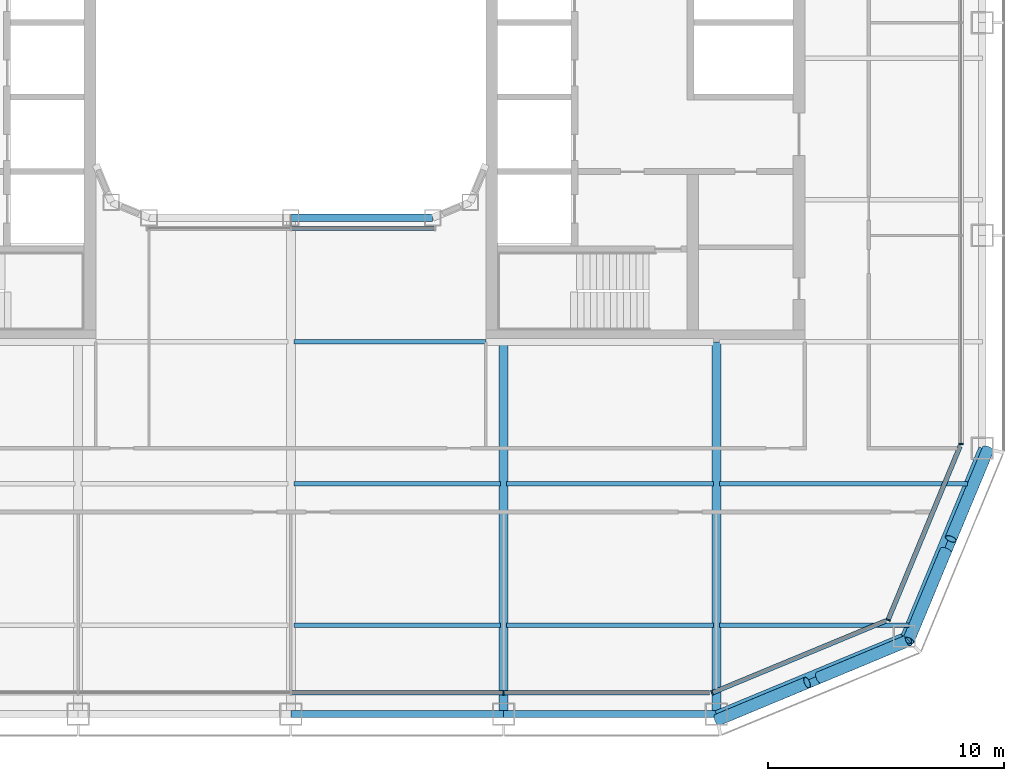
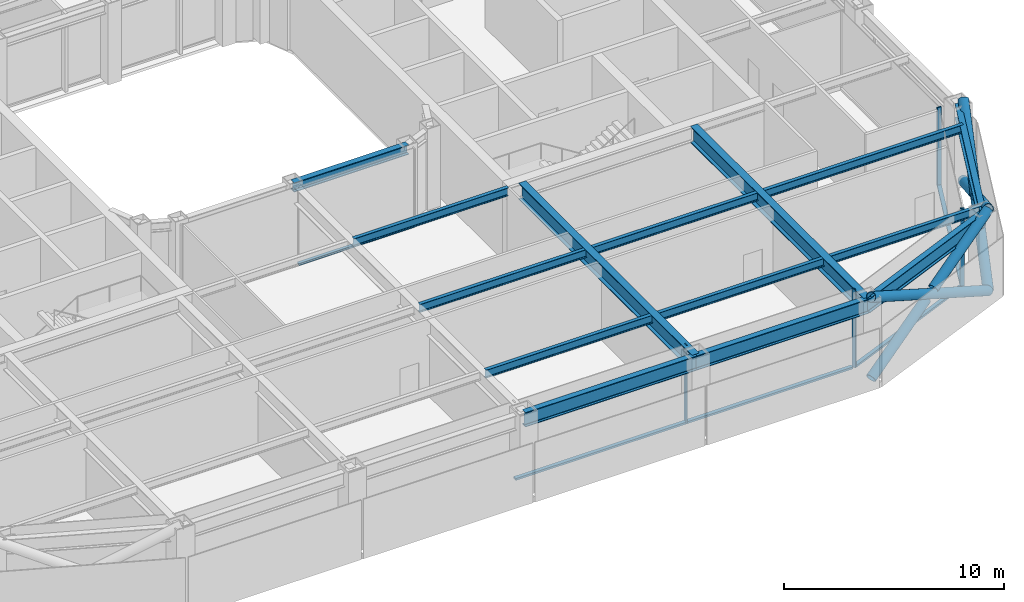
# One storey, part 4 of 21: 15 members, 14 beams, 5 elements without a shape of their own.
"""IFC4 building model written with IfcOpenShell, lengths in metres."""

import ifcopenshell
import ifcopenshell.guid

model = None  # the IFC model being written
_history = None  # IfcOwnerHistory: only IFC2X3 demands one
_inside = {}  # id of a spatial element -> (the spatial element, [elements in it])
_under = {}  # id of a project, library or spatial element -> (it, [spatial elements below it])
_declared = {}  # id of a project -> (the project, [libraries it declares])
_typed = {}  # id of a type object -> (the type object, [elements of that type])
_made_of = {}  # id of a material, layer set ... -> (it, [elements and type objects made of it])


def new_model(schema):
    """Start an empty IFC model of exactly this schema.

    Asked for "IFC4X3", IfcOpenShell would pick the latest addendum, in which some entities
    have other attributes; the version numbers below select the first issue.
    IFC2X3 requires an IfcOwnerHistory on every rooted entity: one is made here for all.
    """
    global model, _history
    if schema == "IFC4X3":
        model = ifcopenshell.file(schema_version=(4, 3, 0, 0))
    else:
        model = ifcopenshell.file(schema=schema)
    _inside.clear()
    _under.clear()
    _declared.clear()
    _typed.clear()
    _made_of.clear()
    _history = None
    if model.schema == "IFC2X3":
        org = make("IfcOrganization", Name="unknown")
        user = make(
            "IfcPersonAndOrganization",
            ThePerson=make("IfcPerson", FamilyName="unknown"),
            TheOrganization=org,
        )
        app = make(
            "IfcApplication",
            ApplicationDeveloper=org,
            Version="unknown",
            ApplicationFullName="unknown",
            ApplicationIdentifier="unknown",
        )
        _history = make(
            "IfcOwnerHistory",
            OwningUser=user,
            OwningApplication=app,
            ChangeAction="ADDED",
            CreationDate=0,
        )
    return model


def make(cls, **values):
    """One entity of the class cls with the attributes given. An attribute that is None is left unset."""
    return model.create_entity(
        cls, **{name: value for name, value in values.items() if value is not None}
    )


def rooted(cls, **values):
    """An entity with a GlobalId (a new one), such as an element, a storey or a relation."""
    return make(cls, GlobalId=ifcopenshell.guid.new(), OwnerHistory=_history, **values)


def si_unit(unit_type, name, prefix=None):
    """IfcSIUnit, for example si_unit("LENGTHUNIT", "METRE", prefix="MILLI")."""
    return make("IfcSIUnit", UnitType=unit_type, Prefix=prefix, Name=name)


def assignment(units):
    """IfcUnitAssignment: the units of a project."""
    return None if units is None else make("IfcUnitAssignment", Units=units)


def point(xyz):
    """IfcCartesianPoint."""
    return None if xyz is None else make("IfcCartesianPoint", Coordinates=xyz)


def direction(xyz):
    """IfcDirection."""
    return None if xyz is None else make("IfcDirection", DirectionRatios=xyz)


def frame(location, z_axis=None, x_axis=None):
    """IfcAxis2Placement3D, a coordinate frame: its origin and axes. An axis left out is left unset."""
    return make(
        "IfcAxis2Placement3D",
        Location=point(location),
        Axis=direction(z_axis),
        RefDirection=direction(x_axis),
    )


def frame_2d(location, x_axis=None):
    """IfcAxis2Placement2D, a coordinate frame in the plane: its origin and x axis."""
    return make(
        "IfcAxis2Placement2D", Location=point(location), RefDirection=direction(x_axis)
    )


def origin():
    """The frame at (0, 0, 0) with its axes left unset."""
    return frame((0.0, 0.0, 0.0))


def origin_2d():
    """The frame at (0, 0) in the plane with its x axis left unset."""
    return frame_2d((0.0, 0.0))


def place(relative_to, where):
    """IfcLocalPlacement: puts the frame where relative to a parent placement (None: the world)."""
    return make(
        "IfcLocalPlacement", PlacementRelTo=relative_to, RelativePlacement=where
    )


def context(
    kind, dimensions, precision=None, world=None, true_north=None, identifier=None
):
    """IfcGeometricRepresentationContext, for example the 3D "Model" context."""
    return make(
        "IfcGeometricRepresentationContext",
        ContextIdentifier=identifier,
        ContextType=kind,
        CoordinateSpaceDimension=dimensions,
        Precision=precision,
        WorldCoordinateSystem=world,
        TrueNorth=true_north,
    )


def subcontext(parent, identifier, kind, view, scale=None):
    """IfcGeometricRepresentationSubContext, for example "Body" below "Model"."""
    return make(
        "IfcGeometricRepresentationSubContext",
        ContextIdentifier=identifier,
        ContextType=kind,
        ParentContext=parent,
        TargetScale=scale,
        TargetView=view,
    )


def project(units=None, contexts=None):
    """IfcProject with its units and contexts."""
    return rooted(
        "IfcProject",
        Name="project",
        RepresentationContexts=contexts,
        UnitsInContext=assignment(units),
    )


def spatial(cls, under=None, at=None, **own):
    """A site, building, storey or space (cls), placed at a placement, below another one or the project."""
    s = rooted(cls, ObjectPlacement=at, **own)
    if under is not None:
        _under.setdefault(under.id(), (under, []))[1].append(s)
    return s


def profile(cls, at=None, kind="AREA", **sizes):
    """A parametric profile (cls). Its sizes go by their IFC names, for example OverallWidth=200.0."""
    return make(cls, ProfileType=kind, Position=at, **sizes)


def rectangle(**sizes):
    """IfcRectangleProfileDef."""
    return profile("IfcRectangleProfileDef", **sizes)


def hollow_circle(**sizes):
    """IfcCircleHollowProfileDef."""
    return profile("IfcCircleHollowProfileDef", **sizes)


def i_section(**sizes):
    """IfcIShapeProfileDef."""
    return profile("IfcIShapeProfileDef", **sizes)


def extrude(swept, where, along, depth):
    """IfcExtrudedAreaSolid: the profile swept, set in the frame where, extruded along a direction by depth."""
    return make(
        "IfcExtrudedAreaSolid",
        SweptArea=swept,
        Position=where,
        ExtrudedDirection=direction(along),
        Depth=depth,
    )


def shape(context_of_items, identifier, shape_type, items):
    """IfcShapeRepresentation: the items that make up one representation, for example the "Body"."""
    return make(
        "IfcShapeRepresentation",
        ContextOfItems=context_of_items,
        RepresentationIdentifier=identifier,
        RepresentationType=shape_type,
        Items=items,
    )


def material(Name=None, Category=None):
    """IfcMaterial."""
    return make("IfcMaterial", Name=Name, Category=Category)


def layer(
    of_material, thickness, ventilated=None, Name=None, Category=None, Priority=None
):
    """IfcMaterialLayer: one layer of a wall or slab, of a material (None: an air gap)."""
    return make(
        "IfcMaterialLayer",
        Material=of_material,
        LayerThickness=thickness,
        IsVentilated=ventilated,
        Name=Name,
        Category=Category,
        Priority=Priority,
    )


def layer_set(layers, Name=None):
    """IfcMaterialLayerSet."""
    return make("IfcMaterialLayerSet", MaterialLayers=layers, LayerSetName=Name)


def material_profile(
    of_material, cross_section, Name=None, Category=None, Priority=None
):
    """IfcMaterialProfile: a cross section and its material."""
    return make(
        "IfcMaterialProfile",
        Name=Name,
        Material=of_material,
        Profile=cross_section,
        Priority=Priority,
        Category=Category,
    )


def profile_set(profiles, Name=None, composite=None):
    """IfcMaterialProfileSet."""
    return make(
        "IfcMaterialProfileSet",
        Name=Name,
        MaterialProfiles=profiles,
        CompositeProfile=composite,
    )


def made_of(thing, what):
    """Note that an element or type object is made of a material, layer set ...; save() writes the relation."""
    if what is not None:
        _made_of.setdefault(what.id(), (what, []))[1].append(thing)
    return thing


def type_object(cls, material=None, **own):
    """A type object (cls), such as IfcWallType, which elements share."""
    return made_of(rooted(cls, **own), material)


def element(
    cls,
    number,
    at=None,
    inside=None,
    cuts=None,
    type_object=None,
    material=None,
    context=None,
    identifier="Body",
    shape_type=None,
    held_by="IfcProductDefinitionShape",
    body=None,
    shapes=None,
    **own,
):
    """One element of the class cls, such as IfcWall. Its Tag is "e" and its number.

    at: its placement. inside: the storey or other place that contains it. cuts: it is an
    opening in that element (IfcRelVoidsElement). A single representation is given by context,
    identifier, shape_type and body (its items); several are given by shapes. held_by: the class
    of the entity that holds the representations. save() writes the other relations.
    """
    e = rooted(cls, Tag="e%d" % number, ObjectPlacement=at, **own)
    if body is not None:
        shapes = [shape(context, identifier, shape_type, body)]
    if shapes is not None:
        e.Representation = make(held_by, Representations=shapes)
    if inside is not None:
        _inside.setdefault(inside.id(), (inside, []))[1].append(e)
    if cuts is not None:
        rooted(
            "IfcRelVoidsElement", RelatingBuildingElement=cuts, RelatedOpeningElement=e
        )
    if type_object is not None:
        _typed.setdefault(type_object.id(), (type_object, []))[1].append(e)
    return made_of(e, material)


def aggregate(whole, parts):
    """IfcRelAggregates: a whole, such as a stair, and the parts it consists of."""
    return rooted("IfcRelAggregates", RelatingObject=whole, RelatedObjects=parts)


def save(model, path):
    """Write the relations noted so far, then the file.

    IfcRelAggregates (storeys below a building ...), IfcRelContainedInSpatialStructure (elements
    in a storey), IfcRelDefinesByType, IfcRelAssociatesMaterial and IfcRelDeclares: one each for
    every whole, place, type object, material and project.
    """
    for whole, parts in _under.values():
        aggregate(whole, parts)
    for where, things in _inside.values():
        rooted(
            "IfcRelContainedInSpatialStructure",
            RelatedElements=things,
            RelatingStructure=where,
        )
    for kind, things in _typed.values():
        rooted("IfcRelDefinesByType", RelatedObjects=things, RelatingType=kind)
    for what, things in _made_of.values():
        rooted("IfcRelAssociatesMaterial", RelatedObjects=things, RelatingMaterial=what)
    for by, libraries in _declared.values():
        rooted("IfcRelDeclares", RelatingContext=by, RelatedDefinitions=libraries)
    model.write(path)


model = new_model("IFC4")

# Units and contexts
model_context = context("Model", 3, precision=1e-05, world=origin(), true_north=direction((0.0, 1.0)))
body_context = subcontext(model_context, "Body", "Model", "MODEL_VIEW")
ifc_project = project(units=[si_unit("LENGTHUNIT", "METRE"), si_unit("AREAUNIT", "SQUARE_METRE"), si_unit("VOLUMEUNIT", "CUBIC_METRE"), si_unit("PLANEANGLEUNIT", "RADIAN"), si_unit("MASSUNIT", "GRAM", prefix="KILO")], contexts=[model_context])

# Site, building, storey
site_placement = place(None, origin())
site = spatial("IfcSite", under=ifc_project, at=site_placement, CompositionType="ELEMENT")
building_placement = place(site_placement, origin())
building = spatial("IfcBuilding", under=site, at=building_placement, Name="Siwar Civic Tower", CompositionType="ELEMENT")
storey_placement = place(building_placement, frame((0.0, 0.0, 122.699951171875)))
storey = spatial("IfcBuildingStorey", under=building, at=storey_placement, Name="L26", CompositionType="ELEMENT", Elevation=122.699951171875)

# Curtain wall, member
ifc_material_1 = material(Name="Aluminium and glass", Category="aluminium")
ifc_layer_1 = layer(ifc_material_1, 0.199951171875)
ifc_layer_set_1 = layer_set([ifc_layer_1], Name="Aluminium and glass")
curtain_wall_type_1 = type_object("IfcCurtainWallType", Name="ENV-CW-B", PredefinedType="NOTDEFINED", material=ifc_layer_set_1)
curtain_wall_1_placement = place(storey_placement, origin())
curtain_wall_1 = element("IfcCurtainWall", 1, at=curtain_wall_1_placement, inside=storey, type_object=curtain_wall_type_1, Name="Curtain wall B S", PredefinedType="NOTDEFINED")
ifc_material_2 = material(Name="Aluminium 6063-T6", Category="aluminium")
ifc_material_profile_1 = material_profile(ifc_material_2, rectangle(XDim=0.199951171875, YDim=0.06494140625, at=origin_2d()), Name="AL 200x65")
ifc_profile_set_1 = profile_set([ifc_material_profile_1], Name="Aluminium 6063-T6")
member_type_1 = type_object("IfcMemberType", Name="ENV-MULLION-B", PredefinedType="MULLION", material=ifc_profile_set_1)
member_1_placement = place(storey_placement, frame((9.0, -28.35009765625, 0.0), z_axis=(0.0, 0.0, 1.0), x_axis=(0.0, 1.0, 0.0)))
member_1 = element("IfcMember", 2, at=member_1_placement, type_object=member_type_1, Name="Mullion B S 4", PredefinedType="MULLION", context=body_context, shape_type="SweptSolid", body=[
    extrude(rectangle(XDim=0.199951171875, YDim=0.06494140625, at=origin_2d()), origin(), (0.0, 0.0, 1.0), 4.35009765625),
])

ifc_material_3 = material(Name="Aluminium clad insulated panel", Category="aluminium")
ifc_layer_2 = layer(ifc_material_3, 0.199951171875)
ifc_layer_set_2 = layer_set([ifc_layer_2], Name="Aluminium clad insulated panel")
curtain_wall_type_2 = type_object("IfcCurtainWallType", Name="ENV-CW-BX", PredefinedType="NOTDEFINED", material=ifc_layer_set_2)
curtain_wall_2_placement = place(storey_placement, origin())
curtain_wall_2 = element("IfcCurtainWall", 3, at=curtain_wall_2_placement, inside=storey, type_object=curtain_wall_type_2, Name="Curtain wall B SE1", PredefinedType="NOTDEFINED")
member_2_placement = place(storey_placement, frame((17.821044921875, -28.35009765625, 0.0), z_axis=(0.0, 0.0, 1.0), x_axis=(-0.382683432365, 0.923879532511, 0.0)))
member_2 = element("IfcMember", 4, at=member_2_placement, type_object=member_type_1, Name="Mullion B SE1 1", PredefinedType="MULLION", context=body_context, shape_type="SweptSolid", body=[
    extrude(rectangle(XDim=0.199951171875, YDim=0.06494140625, at=origin_2d()), origin(), (0.0, 0.0, 1.0), 4.35009765625),
])

curtain_wall_3_placement = place(storey_placement, origin())
curtain_wall_3 = element("IfcCurtainWall", 5, at=curtain_wall_3_placement, inside=storey, type_object=curtain_wall_type_2, Name="Curtain wall B SE2", PredefinedType="NOTDEFINED")
member_3_placement = place(storey_placement, frame((25.26611328125, -25.26611328125, 0.0), z_axis=(0.0, 0.0, 1.0), x_axis=(-0.923879532511, 0.382683432365, 0.0)))
member_3 = element("IfcMember", 6, at=member_3_placement, type_object=member_type_1, Name="Mullion B SE2 1", PredefinedType="MULLION", context=body_context, shape_type="SweptSolid", body=[
    extrude(rectangle(XDim=0.199951171875, YDim=0.06494140625, at=origin_2d()), origin(), (0.0, 0.0, 1.0), 4.35009765625),
])

curtain_wall_4_placement = place(storey_placement, origin())
curtain_wall_4 = element("IfcCurtainWall", 7, at=curtain_wall_4_placement, inside=storey, type_object=curtain_wall_type_1, Name="Curtain wall B E", PredefinedType="NOTDEFINED")
member_4_placement = place(storey_placement, frame((28.35009765625, -17.821044921875, 0.0), z_axis=(0.0, 0.0, 1.0), x_axis=(-1.0, 0.0, 0.0)))
member_4 = element("IfcMember", 8, at=member_4_placement, type_object=member_type_1, Name="Mullion B E 1", PredefinedType="MULLION", context=body_context, shape_type="SweptSolid", body=[
    extrude(rectangle(XDim=0.199951171875, YDim=0.06494140625, at=origin_2d()), origin(), (0.0, 0.0, 1.0), 4.35009765625),
])
aggregate(curtain_wall_4, [member_4])

# Member
ifc_material_4 = material(Name="Aluminium 6063-T6", Category="aluminium")
ifc_material_profile_2 = material_profile(ifc_material_4, rectangle(XDim=0.199951171875, YDim=0.110107421875, at=origin_2d()), Name="AL 200x110")
ifc_profile_set_2 = profile_set([ifc_material_profile_2], Name="Aluminium 6063-T6")
member_type_2 = type_object("IfcMemberType", Name="ENV-TRANSOM-B", PredefinedType="USERDEFINED", material=ifc_profile_set_2)
member_5_placement = place(storey_placement, frame((0.032470703125, -28.35009765625, 0.054931640625), z_axis=(1.0, 0.0, 0.0), x_axis=(0.0, 1.0, 0.0)))
member_5 = element("IfcMember", 9, at=member_5_placement, type_object=member_type_2, Name="Transom B S 3", ObjectType="TRANSOM", PredefinedType="USERDEFINED", context=body_context, shape_type="SweptSolid", body=[
    extrude(rectangle(XDim=0.199951171875, YDim=0.110107421875, at=origin_2d()), origin(), (0.0, 0.0, 1.0), 8.93505859375),
])

member_6_placement = place(storey_placement, frame((9.032470703125, -28.35009765625, 0.054931640625), z_axis=(1.0, 0.0, 0.0), x_axis=(0.0, 1.0, 0.0)))
member_6 = element("IfcMember", 10, at=member_6_placement, type_object=member_type_2, Name="Transom B S 4", ObjectType="TRANSOM", PredefinedType="USERDEFINED", context=body_context, shape_type="SweptSolid", body=[
    extrude(rectangle(XDim=0.199951171875, YDim=0.110107421875, at=origin_2d()), origin(), (0.0, 0.0, 1.0), 8.6748046875),
])

aggregate(curtain_wall_1, [member_1, member_5, member_6])

member_7_placement = place(storey_placement, frame((17.85107421875, -28.337646484375, 0.054931640625), z_axis=(0.92387279587, 0.382699695651, 0.0), x_axis=(-0.382699695651, 0.92387279587, 0.0)))
member_7 = element("IfcMember", 11, at=member_7_placement, type_object=member_type_2, Name="Transom B SE1 1", ObjectType="TRANSOM", PredefinedType="USERDEFINED", context=body_context, shape_type="SweptSolid", body=[
    extrude(rectangle(XDim=0.199951171875, YDim=0.110107421875, at=origin_2d()), origin(), (0.0, 0.0, 1.0), 7.912353515625),
])

aggregate(curtain_wall_2, [member_2, member_7])

member_8_placement = place(storey_placement, frame((25.278564453125, -25.236083984375, 0.054931640625), z_axis=(0.382673358825, 0.923883705044, 0.0), x_axis=(-0.923883705044, 0.382673358825, 0.0)))
member_8 = element("IfcMember", 12, at=member_8_placement, type_object=member_type_2, Name="Transom B SE2 1", ObjectType="TRANSOM", PredefinedType="USERDEFINED", context=body_context, shape_type="SweptSolid", body=[
    extrude(rectangle(XDim=0.199951171875, YDim=0.110107421875, at=origin_2d()), origin(), (0.0, 0.0, 1.0), 7.912353515625),
])

aggregate(curtain_wall_3, [member_3, member_8])

# Curtain wall, member
ifc_material_5 = material(Name="Aluminium and glass", Category="aluminium")
ifc_layer_3 = layer(ifc_material_5, 0.179931640625)
ifc_layer_set_3 = layer_set([ifc_layer_3], Name="Aluminium and glass")
curtain_wall_type_3 = type_object("IfcCurtainWallType", Name="ENV-CW-W", PredefinedType="NOTDEFINED", material=ifc_layer_set_3)
curtain_wall_5_placement = place(storey_placement, origin())
curtain_wall_5 = element("IfcCurtainWall", 13, at=curtain_wall_5_placement, inside=storey, type_object=curtain_wall_type_3, Name="Curtain wall W WS", PredefinedType="NOTDEFINED")
ifc_material_6 = material(Name="Aluminium 6063-T6", Category="aluminium")
ifc_material_profile_3 = material_profile(ifc_material_6, rectangle(XDim=0.179931640625, YDim=0.10009765625, at=origin_2d()), Name="AL 180x100")
ifc_profile_set_3 = profile_set([ifc_material_profile_3], Name="Aluminium 6063-T6")
member_type_3 = type_object("IfcMemberType", Name="ENV-TRANSOM-W", PredefinedType="USERDEFINED", material=ifc_profile_set_3)
member_9_placement = place(storey_placement, frame((0.030029296875, -8.7099609375, 0.050048828125), z_axis=(1.0, 0.0, 0.0), x_axis=(0.0, 1.0, 0.0)))
member_9 = element("IfcMember", 14, at=member_9_placement, type_object=member_type_3, Name="Transom W WS 2", ObjectType="TRANSOM", PredefinedType="USERDEFINED", context=body_context, shape_type="SweptSolid", body=[
    extrude(rectangle(XDim=0.179931640625, YDim=0.10009765625, at=origin_2d()), origin(), (0.0, 0.0, 1.0), 6.031494140625),
])
aggregate(curtain_wall_5, [member_9])

# Members
ifc_material_7 = material(Name="Steel S355", Category="steel")
ifc_material_profile_4 = material_profile(ifc_material_7, hollow_circle(Radius=0.25390625, WallThickness=0.02490234375, at=origin_2d()), Name="CHS508x25")
ifc_profile_set_4 = profile_set([ifc_material_profile_4], Name="Steel S355")
member_type_4 = type_object("IfcMemberType", Name="STR-BR-CHS508x25", PredefinedType="BRACE", material=ifc_profile_set_4)
member_10_placement = place(storey_placement, frame((26.1318359375, -26.1318359375, 0.0), z_axis=(0.341671493852, 0.821142553604, 0.457149315816), x_axis=(-0.923264922524, 0.384163874976, 0.0)))
element("IfcMember", 15, at=member_10_placement, inside=storey, type_object=member_type_4, Name="L26/brc/BSE1-5-0-1", PredefinedType="BRACE", context=body_context, shape_type="SweptSolid", body=[
    extrude(hollow_circle(Radius=0.25390625, WallThickness=0.02490234375, at=origin_2d()), origin(), (0.0, 0.0, 1.0), 9.843505859375),
])
for number, where, z_axis, x_axis, name in (
    (16, (29.4951171875, -18.048828125, 0.0), (-0.341677318012, -0.821126041429, 0.457174621391), (0.923259859753, -0.384176042158, 0.0), "L26/brc/BSE1-5-0-2"),
    (17, (27.70849609375, -22.342529296875, 2.390625), (-0.341670737976, -0.821163134736, 0.457112910516), (0.923268638995, -0.384154943021, 0.0), "L26/brc/BSE1-5-0-3"),
):
    element("IfcMember", number, at=place(storey_placement, frame(where, z_axis=z_axis, x_axis=x_axis)), inside=storey, type_object=member_type_4, Name=name, PredefinedType="BRACE", context=body_context, shape_type="SweptSolid", body=[
        extrude(hollow_circle(Radius=0.25390625, WallThickness=0.02490234375, at=origin_2d()), origin(), (0.0, 0.0, 1.0), 4.614501953125),
    ])
member_11_placement = place(storey_placement, frame((26.1318359375, -26.1318359375, 0.0), z_axis=(-0.821142553604, -0.341671493852, 0.457149315816), x_axis=(0.384163874976, -0.923264922524, 0.0)))
element("IfcMember", 18, at=member_11_placement, inside=storey, type_object=member_type_4, Name="L26/brc/BSE1-5-0-0", PredefinedType="BRACE", context=body_context, shape_type="SweptSolid", body=[
    extrude(hollow_circle(Radius=0.25390625, WallThickness=0.02490234375, at=origin_2d()), origin(), (0.0, 0.0, 1.0), 9.843505859375),
])
for number, where, z_axis, x_axis, name in (
    (19, (18.048828125, -29.4951171875, 0.0), (0.821126041429, 0.341677318012, 0.457174621391), (-0.384176042158, 0.923259859753, 0.0), "L26/brc/BSE1-5-0-4"),
    (20, (22.342529296875, -27.70849609375, 2.390625), (0.821163134736, 0.341670737976, 0.457112910516), (-0.384154943021, 0.923268638995, 0.0), "L26/brc/BSE1-5-0-5"),
):
    element("IfcMember", number, at=place(storey_placement, frame(where, z_axis=z_axis, x_axis=x_axis)), inside=storey, type_object=member_type_4, Name=name, PredefinedType="BRACE", context=body_context, shape_type="SweptSolid", body=[
        extrude(hollow_circle(Radius=0.25390625, WallThickness=0.02490234375, at=origin_2d()), origin(), (0.0, 0.0, 1.0), 4.614501953125),
    ])

# Beams
ifc_material_8 = material(Name="Steel S355", Category="steel")
ifc_material_profile_5 = material_profile(ifc_material_8, i_section(OverallWidth=0.18994140625, OverallDepth=0.449951171875, WebThickness=0.009521484375, FlangeThickness=0.0146484375, FilletRadius=0.02099609375, at=origin_2d()), Name="IPE450")
ifc_profile_set_5 = profile_set([ifc_material_profile_5], Name="Steel S355")
beam_type_1 = type_object("IfcBeamType", Name="STR-FB-IPE450", PredefinedType="JOIST", material=ifc_profile_set_5)
for number, where, z_axis, x_axis, name in (
    (21, (0.1298828125, -25.5, 4.125), (1.0, 0.0, 0.0), (0.0, 1.0, 0.0), "L26/bm/F004"),
    (22, (9.1298828125, -25.5, 4.125), (1.0, 0.0, 0.0), (0.0, 1.0, 0.0), "L26/bm/F005"),
):
    element("IfcBeam", number, at=place(storey_placement, frame(where, z_axis=z_axis, x_axis=x_axis)), inside=storey, type_object=beam_type_1, Name=name, PredefinedType="JOIST", context=body_context, shape_type="SweptSolid", body=[
        extrude(i_section(OverallWidth=0.18994140625, OverallDepth=0.449951171875, WebThickness=0.009521484375, FlangeThickness=0.0146484375, FilletRadius=0.02099609375, at=origin_2d()), origin(), (0.0, 0.0, 1.0), 8.740234375),
    ])
beam_1_placement = place(storey_placement, frame((18.1298828125, -25.5, 4.125), z_axis=(1.0, 0.0, 0.0), x_axis=(0.0, 1.0, 0.0)))
element("IfcBeam", 23, at=beam_1_placement, inside=storey, type_object=beam_type_1, Name="L26/bm/F006", PredefinedType="JOIST", context=body_context, shape_type="SweptSolid", body=[
    extrude(i_section(OverallWidth=0.18994140625, OverallDepth=0.449951171875, WebThickness=0.009521484375, FlangeThickness=0.0146484375, FilletRadius=0.02099609375, at=origin_2d()), origin(), (0.0, 0.0, 1.0), 8.013427734375),
])
for number, where, z_axis, x_axis, name in (
    (24, (0.1298828125, -19.5, 4.125), (1.0, 0.0, 0.0), (0.0, 1.0, 0.0), "L26/bm/F010"),
    (25, (9.1298828125, -19.5, 4.125), (1.0, 0.0, 0.0), (0.0, 1.0, 0.0), "L26/bm/F011"),
):
    element("IfcBeam", number, at=place(storey_placement, frame(where, z_axis=z_axis, x_axis=x_axis)), inside=storey, type_object=beam_type_1, Name=name, PredefinedType="JOIST", context=body_context, shape_type="SweptSolid", body=[
        extrude(i_section(OverallWidth=0.18994140625, OverallDepth=0.449951171875, WebThickness=0.009521484375, FlangeThickness=0.0146484375, FilletRadius=0.02099609375, at=origin_2d()), origin(), (0.0, 0.0, 1.0), 8.740234375),
    ])
beam_2_placement = place(storey_placement, frame((18.1298828125, -19.5, 4.125), z_axis=(1.0, 0.0, 0.0), x_axis=(0.0, 1.0, 0.0)))
element("IfcBeam", 26, at=beam_2_placement, inside=storey, type_object=beam_type_1, Name="L26/bm/F012", PredefinedType="JOIST", context=body_context, shape_type="SweptSolid", body=[
    extrude(i_section(OverallWidth=0.18994140625, OverallDepth=0.449951171875, WebThickness=0.009521484375, FlangeThickness=0.0146484375, FilletRadius=0.02099609375, at=origin_2d()), origin(), (0.0, 0.0, 1.0), 10.498779296875),
])
beam_3_placement = place(storey_placement, frame((0.1298828125, -13.5, 4.125), z_axis=(1.0, 0.0, 0.0), x_axis=(0.0, 1.0, 0.0)))
element("IfcBeam", 27, at=beam_3_placement, inside=storey, type_object=beam_type_1, Name="L26/bm/F017", PredefinedType="JOIST", context=body_context, shape_type="SweptSolid", body=[
    extrude(i_section(OverallWidth=0.18994140625, OverallDepth=0.449951171875, WebThickness=0.009521484375, FlangeThickness=0.0146484375, FilletRadius=0.02099609375, at=origin_2d()), origin(), (0.0, 0.0, 1.0), 8.1201171875),
])
ifc_material_9 = material(Name="Steel S355", Category="steel")
ifc_material_profile_6 = material_profile(ifc_material_9, i_section(OverallWidth=0.3798828125, OverallDepth=0.89990234375, WebThickness=0.01611328125, FlangeThickness=0.035888671875, at=origin_2d()), Name="PG900x380x16x36")
ifc_profile_set_6 = profile_set([ifc_material_profile_6], Name="Steel S355")
beam_type_2 = type_object("IfcBeamType", Name="STR-PG-PG900x380x16x36", PredefinedType="BEAM", material=ifc_profile_set_6)
for number, where, z_axis, x_axis, name in (
    (28, (9.0, -29.25, 3.900146484375), (0.0, 1.0, 0.0), (-1.0, 0.0, 0.0), "L26/bm/G07"),
    (29, (18.0, -29.25, 3.900146484375), (0.0, 1.0, 0.0), (-1.0, 0.0, 0.0), "L26/bm/G09"),
):
    element("IfcBeam", number, at=place(storey_placement, frame(where, z_axis=z_axis, x_axis=x_axis)), inside=storey, type_object=beam_type_2, Name=name, PredefinedType="BEAM", context=body_context, shape_type="SweptSolid", body=[
        extrude(i_section(OverallWidth=0.3798828125, OverallDepth=0.89990234375, WebThickness=0.01611328125, FlangeThickness=0.035888671875, at=origin_2d()), origin(), (0.0, 0.0, 1.0), 15.75),
    ])
ifc_material_10 = material(Name="Steel S355", Category="steel")
ifc_material_profile_7 = material_profile(ifc_material_10, i_section(OverallWidth=0.305908203125, OverallDepth=0.52392578125, WebThickness=0.02099609375, FlangeThickness=0.0400390625, FilletRadius=0.027099609375, at=origin_2d()), Name="HEM500")
ifc_profile_set_7 = profile_set([ifc_material_profile_7], Name="Steel S355")
beam_type_3 = type_object("IfcBeamType", Name="STR-RB-HEM500", PredefinedType="BEAM", material=ifc_profile_set_7)
beam_4_placement = place(storey_placement, frame((0.0, -8.25, 4.088134765625), z_axis=(1.0, 0.0, 0.0), x_axis=(0.0, 1.0, 0.0)))
element("IfcBeam", 30, at=beam_4_placement, inside=storey, type_object=beam_type_3, Name="L26/bm/RS2", PredefinedType="BEAM", context=body_context, shape_type="SweptSolid", body=[
    extrude(i_section(OverallWidth=0.305908203125, OverallDepth=0.52392578125, WebThickness=0.02099609375, FlangeThickness=0.0400390625, FilletRadius=0.027099609375, at=origin_2d()), origin(), (0.0, 0.0, 1.0), 6.0),
])
ifc_material_11 = material(Name="Steel S355", Category="steel")
ifc_material_profile_8 = material_profile(ifc_material_11, i_section(OverallWidth=0.300048828125, OverallDepth=0.800048828125, WebThickness=0.017578125, FlangeThickness=0.032958984375, FilletRadius=0.030029296875, at=origin_2d()), Name="HEB800")
ifc_profile_set_8 = profile_set([ifc_material_profile_8], Name="Steel S355")
beam_type_4 = type_object("IfcBeamType", Name="STR-SB-HEB800", PredefinedType="BEAM", material=ifc_profile_set_8)
for number, where, z_axis, x_axis, name in (
    (31, (0.0, -29.25, 3.949951171875), (1.0, 0.0, 0.0), (0.0, 1.0, 0.0), "L26/bm/SS-2"),
    (32, (9.0, -29.25, 3.949951171875), (1.0, 0.0, 0.0), (0.0, 1.0, 0.0), "L26/bm/SS-3"),
):
    element("IfcBeam", number, at=place(storey_placement, frame(where, z_axis=z_axis, x_axis=x_axis)), inside=storey, type_object=beam_type_4, Name=name, PredefinedType="BEAM", context=body_context, shape_type="SweptSolid", body=[
        extrude(i_section(OverallWidth=0.300048828125, OverallDepth=0.800048828125, WebThickness=0.017578125, FlangeThickness=0.032958984375, FilletRadius=0.030029296875, at=origin_2d()), origin(), (0.0, 0.0, 1.0), 9.0),
    ])
for number, where, z_axis, x_axis, name in (
    (33, (18.0, -29.25, 3.949951171875), (0.923872720536, 0.382699877515, 0.0), (-0.382699877515, 0.923872720536, 0.0), "L26/bm/SSE1-0"),
    (34, (25.954833984375, -25.954833984375, 3.949951171875), (0.382699877515, 0.923872720536, 0.0), (-0.923872720536, 0.382699877515, 0.0), "L26/bm/SSE2-0"),
):
    element("IfcBeam", number, at=place(storey_placement, frame(where, z_axis=z_axis, x_axis=x_axis)), inside=storey, type_object=beam_type_4, Name=name, PredefinedType="BEAM", context=body_context, shape_type="SweptSolid", body=[
        extrude(i_section(OverallWidth=0.300048828125, OverallDepth=0.800048828125, WebThickness=0.017578125, FlangeThickness=0.032958984375, FilletRadius=0.030029296875, at=origin_2d()), origin(), (0.0, 0.0, 1.0), 8.6103515625),
    ])

save(model, "model.ifc")
